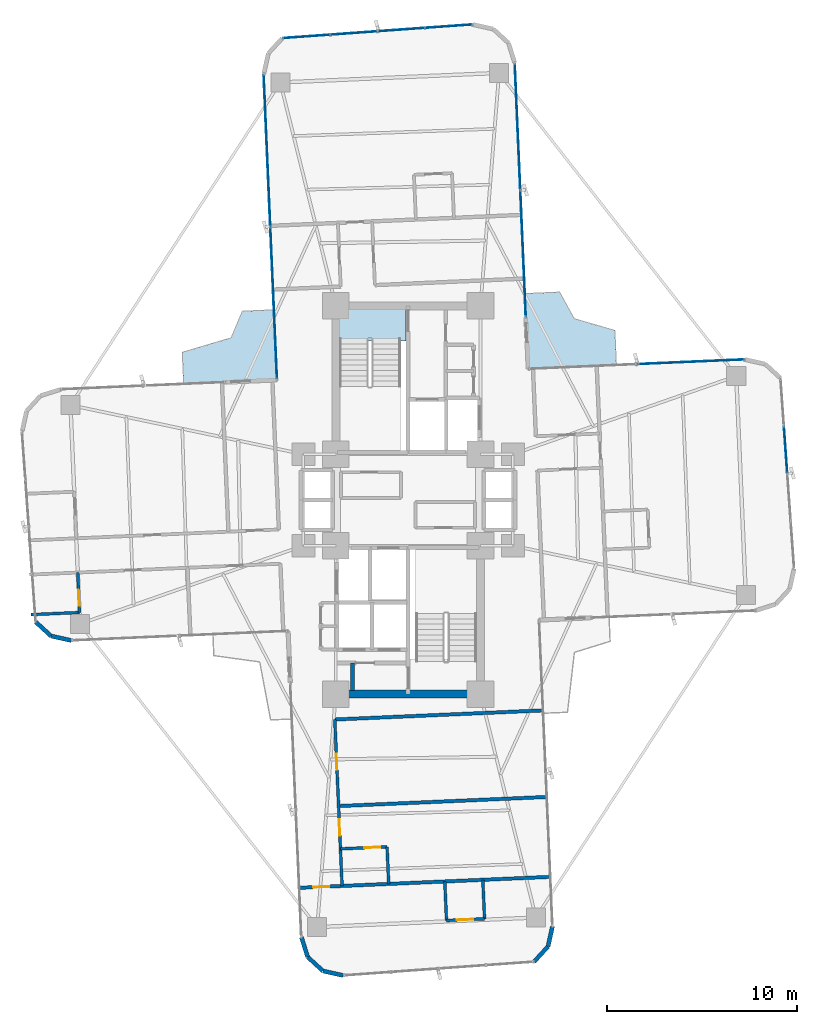
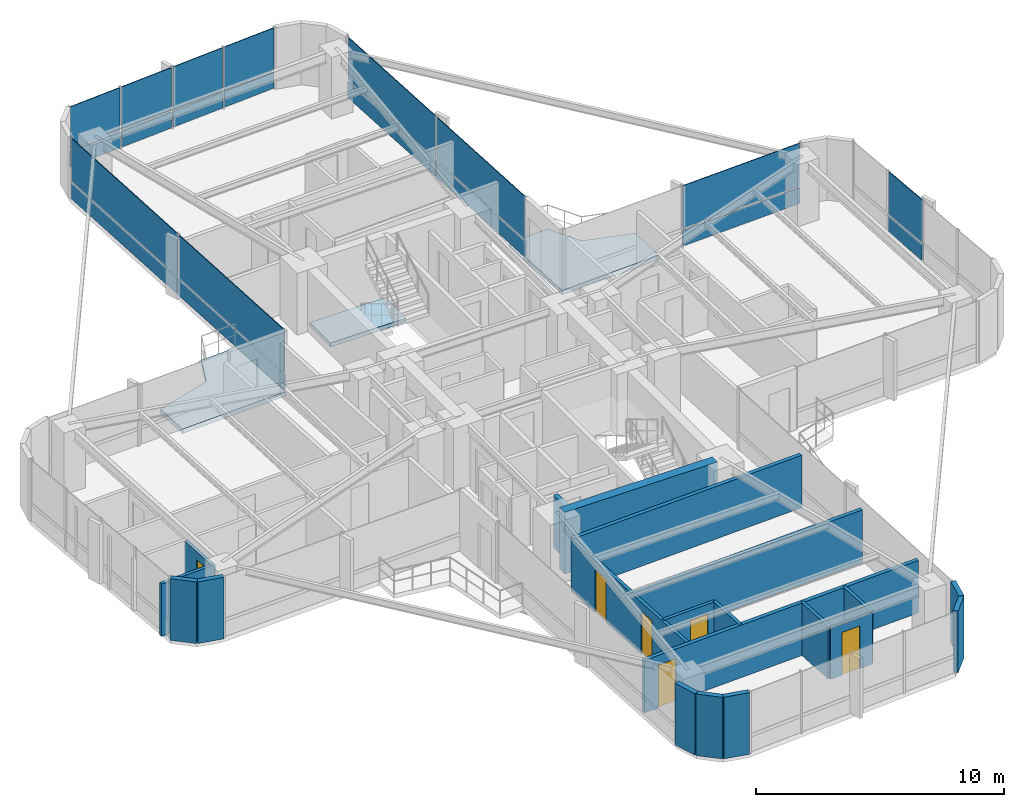
# One storey, part 22 of 26: 20 plates, 20 walls, 6 doors, 3 slabs, 6 openings, 5 elements without a shape of their own.
"""IFC4 building model written with IfcOpenShell, lengths in metres."""

from ifc_helpers import new_model, si_unit, direction, frame, frame_2d, origin, origin_2d, place, context, subcontext, project, spatial, polyline, rectangle, outline, extrude, source, transform, mapped, material, layer, layer_set, type_object, element, fill, aggregate, save


model = new_model("IFC4")

# Units and contexts
model_context = context("Model", 3, precision=1e-05, world=origin(), true_north=direction((0.0, 1.0)))
body_context = subcontext(model_context, "Body", "Model", "MODEL_VIEW")
ifc_project = project(units=[si_unit("LENGTHUNIT", "METRE"), si_unit("AREAUNIT", "SQUARE_METRE"), si_unit("VOLUMEUNIT", "CUBIC_METRE"), si_unit("PLANEANGLEUNIT", "RADIAN"), si_unit("MASSUNIT", "GRAM", prefix="KILO")], contexts=[model_context])

# Site, building, storey
site_placement = place(None, origin())
site = spatial("IfcSite", under=ifc_project, at=site_placement, CompositionType="ELEMENT")
building_placement = place(site_placement, origin())
building = spatial("IfcBuilding", under=site, at=building_placement, Name="Sahyath Konkavel Grand Hotel", CompositionType="ELEMENT")
storey_placement = place(building_placement, frame((0.0, 0.0, 134.89990234375)))
storey = spatial("IfcBuildingStorey", under=building, at=storey_placement, Name="L37", CompositionType="ELEMENT", Elevation=134.89990234375)

# Slabs
ifc_material_1 = material(Name="Concrete C40/50", Category="concrete")
ifc_layer_1 = layer(ifc_material_1, 0.219970703125)
ifc_layer_set_1 = layer_set([ifc_layer_1], Name="Concrete C40/50")
slab_type_1 = type_object("IfcSlabType", Name="SLB-BALCONY-220", PredefinedType="FLOOR", material=ifc_layer_set_1)
slab_1_placement = place(storey_placement, frame((0.0, 0.0, -0.219970703125)))
element("IfcSlab", 1, at=slab_1_placement, inside=storey, type_object=slab_type_1, Name="L37 Winter-Garden Balcony NE", PredefinedType="FLOOR", context=body_context, shape_type="SweptSolid", body=[
    extrude(outline(polyline([(6.305908203125, 6.881591796875), (10.9384765625, 7.083984375), (10.85888671875, 8.9052734375), (8.72509765625, 9.521484375), (7.954345703125, 10.92041015625), (6.133056640625, 10.8408203125), (6.305908203125, 6.881591796875)])), origin(), (0.0, 0.0, 1.0), 0.219970703125),
])
slab_2_placement = place(storey_placement, frame((0.0, 0.0, -0.219970703125)))
element("IfcSlab", 2, at=slab_2_placement, inside=storey, type_object=slab_type_1, Name="L37 Winter-Garden Balcony NW", PredefinedType="FLOOR", context=body_context, shape_type="SweptSolid", body=[
    extrude(outline(polyline([(-6.881591796875, 6.305908203125), (-7.04248046875, 9.9892578125), (-8.70751953125, 9.91650390625), (-9.29541015625, 8.517578125), (-11.862548828125, 7.756591796875), (-11.789794921875, 6.091552734375), (-6.881591796875, 6.305908203125)])), origin(), (0.0, 0.0, 1.0), 0.219970703125),
])
ifc_layer_2 = layer(ifc_material_1, 0.199951171875)
ifc_layer_set_2 = layer_set([ifc_layer_2], Name="Concrete C40/50")
slab_type_2 = type_object("IfcSlabType", Name="SLB-STAIR-LND", PredefinedType="LANDING", material=ifc_layer_set_2)
slab_3_placement = place(storey_placement, frame((0.0, 0.0, -0.199951171875)))
element("IfcSlab", 3, at=slab_3_placement, inside=storey, type_object=slab_type_2, Name="L37 Stair ST-1 Floor Landing Slab", PredefinedType="LANDING", context=body_context, shape_type="SweptSolid", body=[
    extrude(outline(polyline([(-3.6201171875, 8.35009765625), (-0.10009765625, 8.35009765625), (-0.10009765625, 10.02001953125), (-3.6201171875, 10.02001953125), (-3.6201171875, 8.35009765625)])), origin(), (0.0, 0.0, 1.0), 0.199951171875),
])

# Curtain wall, plate
ifc_material_2 = material(Name="Anodised Bronze Aluminium & Low-E Glazing", Category="aluminium")
curtain_wall_type = type_object("IfcCurtainWallType", Name="CW-ZONE2", PredefinedType="NOTDEFINED", material=ifc_material_2)
curtain_wall_1_placement = place(storey_placement, origin())
curtain_wall_1 = element("IfcCurtainWall", 4, at=curtain_wall_1_placement, inside=storey, type_object=curtain_wall_type, Name="L37 Unitised Curtain Wall F4", PredefinedType="NOTDEFINED")
ifc_material_3 = material(Name="Warm Buff Sandstone Cladding", Category="masonry")
ifc_layer_3 = layer(ifc_material_3, 0.074951171875)
ifc_layer_set_3 = layer_set([ifc_layer_3], Name="Warm Buff Sandstone Cladding")
plate_type_1 = type_object("IfcPlateType", Name="PNL-SPANDREL-STONE", PredefinedType="SHEET", material=ifc_layer_set_3)
shared_shape_1 = source(origin(), body_context, "Body", "SweptSolid", [
    extrude(rectangle(XDim=2.41357421875, YDim=0.074951171875, at=origin_2d()), origin(), (0.0, 0.0, 1.0), 0.77001953125),
])
plate_1_placement = place(storey_placement, frame((19.828369140625, 2.638671875, 0.0400390625), z_axis=(0.0, 0.0, 1.0), x_axis=(-0.071567078661, 0.997435789037, 0.0)))
plate_1 = element("IfcPlate", 5, at=plate_1_placement, type_object=plate_type_1, Name="L37 Sandstone Relief Spandrel Panel F4-2", PredefinedType="SHEET", context=body_context, shape_type="MappedRepresentation", body=[
    mapped(shared_shape_1, transform((0.0, 0.0, 0.0), scale=1.0)),
])

# Curtain wall, plates
curtain_wall_2_placement = place(storey_placement, origin())
curtain_wall_2 = element("IfcCurtainWall", 6, at=curtain_wall_2_placement, inside=storey, type_object=curtain_wall_type, Name="L37 Unitised Curtain Wall F12", PredefinedType="NOTDEFINED")
plate_2_placement = place(storey_placement, frame((2.130615234375, 24.880615234375, 0.0400390625), z_axis=(0.0, 0.0, 1.0), x_axis=(-0.997435789037, -0.071567078661, 0.0)))
plate_2 = element("IfcPlate", 7, at=plate_2_placement, type_object=plate_type_1, Name="L37 Sandstone Relief Spandrel Panel F12-0", PredefinedType="SHEET", context=body_context, shape_type="MappedRepresentation", body=[
    mapped(shared_shape_1, transform((0.0, 0.0, 0.0), scale=1.0)),
])
plate_3_placement = place(storey_placement, frame((-0.356689453125, 24.7021484375, 0.0400390625), z_axis=(0.0, 0.0, 1.0), x_axis=(-0.997435789037, -0.071567078661, 0.0)))
plate_3 = element("IfcPlate", 8, at=plate_3_placement, type_object=plate_type_1, Name="L37 Sandstone Relief Spandrel Panel F12-1", PredefinedType="SHEET", context=body_context, shape_type="MappedRepresentation", body=[
    mapped(shared_shape_1, transform((0.0, 0.0, 0.0), scale=1.0)),
])
plate_4_placement = place(storey_placement, frame((-2.84375, 24.523681640625, 0.0400390625), z_axis=(0.0, 0.0, 1.0), x_axis=(-0.997435789037, -0.071567078661, 0.0)))
plate_4 = element("IfcPlate", 9, at=plate_4_placement, type_object=plate_type_1, Name="L37 Sandstone Relief Spandrel Panel F12-2", PredefinedType="SHEET", context=body_context, shape_type="MappedRepresentation", body=[
    mapped(shared_shape_1, transform((0.0, 0.0, 0.0), scale=1.0)),
])
plate_5_placement = place(storey_placement, frame((-5.330810546875, 24.34521484375, 0.0400390625), z_axis=(0.0, 0.0, 1.0), x_axis=(-0.997435789037, -0.071567078661, 0.0)))
plate_5 = element("IfcPlate", 10, at=plate_5_placement, type_object=plate_type_1, Name="L37 Sandstone Relief Spandrel Panel F12-3", PredefinedType="SHEET", context=body_context, shape_type="MappedRepresentation", body=[
    mapped(shared_shape_1, transform((0.0, 0.0, 0.0), scale=1.0)),
])

# Curtain wall, plate
curtain_wall_3_placement = place(storey_placement, origin())
curtain_wall_3 = element("IfcCurtainWall", 11, at=curtain_wall_3_placement, inside=storey, type_object=curtain_wall_type, Name="L37 Unitised Curtain Wall F7", PredefinedType="NOTDEFINED")
shared_shape_2 = source(origin(), body_context, "Body", "SweptSolid", [
    extrude(rectangle(XDim=5.580078125, YDim=0.074951171875, at=origin_2d()), origin(), (0.0, 0.0, 1.0), 0.77001953125),
])
plate_6_placement = place(storey_placement, frame((14.82763671875, 7.25390625, 0.0400390625), z_axis=(0.0, 0.0, 1.0), x_axis=(-0.999048221582, -0.043619387365, 0.0)))
plate_6 = element("IfcPlate", 12, at=plate_6_placement, type_object=plate_type_1, Name="L37 Sandstone Relief Spandrel Panel F7-0", PredefinedType="SHEET", context=body_context, shape_type="MappedRepresentation", body=[
    mapped(shared_shape_2, transform((0.0, 0.0, 0.0), scale=1.0)),
])

# Curtain wall, plates
curtain_wall_4_placement = place(storey_placement, origin())
curtain_wall_4 = element("IfcCurtainWall", 13, at=curtain_wall_4_placement, inside=storey, type_object=curtain_wall_type, Name="L37 Unitised Curtain Wall F8", PredefinedType="NOTDEFINED")
shared_shape_3 = source(origin(), body_context, "Body", "SweptSolid", [
    extrude(rectangle(XDim=6.580078125, YDim=0.074951171875, at=origin_2d()), origin(), (0.0, 0.0, 1.0), 0.77001953125),
])
plate_7_placement = place(storey_placement, frame((6.041015625, 12.94580078125, 0.0400390625), z_axis=(0.0, 0.0, 1.0), x_axis=(-0.043619387365, 0.999048221582, 0.0)))
plate_7 = element("IfcPlate", 14, at=plate_7_placement, type_object=plate_type_1, Name="L37 Sandstone Relief Spandrel Panel F8-0", PredefinedType="SHEET", context=body_context, shape_type="MappedRepresentation", body=[
    mapped(shared_shape_3, transform((0.0, 0.0, 0.0), scale=1.0)),
])
plate_8_placement = place(storey_placement, frame((5.75048828125, 19.599609375, 0.0400390625), z_axis=(0.0, 0.0, 1.0), x_axis=(-0.043619387365, 0.999048221582, 0.0)))
plate_8 = element("IfcPlate", 15, at=plate_8_placement, type_object=plate_type_1, Name="L37 Sandstone Relief Spandrel Panel F8-1", PredefinedType="SHEET", context=body_context, shape_type="MappedRepresentation", body=[
    mapped(shared_shape_3, transform((0.0, 0.0, 0.0), scale=1.0)),
])

curtain_wall_5_placement = place(storey_placement, origin())
curtain_wall_5 = element("IfcCurtainWall", 16, at=curtain_wall_5_placement, inside=storey, type_object=curtain_wall_type, Name="L37 Unitised Curtain Wall F15", PredefinedType="NOTDEFINED")
shared_shape_4 = source(origin(), body_context, "Body", "SweptSolid", [
    extrude(rectangle(XDim=7.929931640625, YDim=0.074951171875, at=origin_2d()), origin(), (0.0, 0.0, 1.0), 0.77001953125),
])
plate_9_placement = place(storey_placement, frame((-7.407470703125, 18.349365234375, 0.0400390625), z_axis=(0.0, 0.0, 1.0), x_axis=(0.043619387365, -0.999048221582, 0.0)))
plate_9 = element("IfcPlate", 17, at=plate_9_placement, type_object=plate_type_1, Name="L37 Sandstone Relief Spandrel Panel F15-0", PredefinedType="SHEET", context=body_context, shape_type="MappedRepresentation", body=[
    mapped(shared_shape_4, transform((0.0, 0.0, 0.0), scale=1.0)),
])
plate_10_placement = place(storey_placement, frame((-7.05810546875, 10.346923828125, 0.0400390625), z_axis=(0.0, 0.0, 1.0), x_axis=(0.043619387365, -0.999048221582, 0.0)))
plate_10 = element("IfcPlate", 18, at=plate_10_placement, type_object=plate_type_1, Name="L37 Sandstone Relief Spandrel Panel F15-1", PredefinedType="SHEET", context=body_context, shape_type="MappedRepresentation", body=[
    mapped(shared_shape_4, transform((0.0, 0.0, 0.0), scale=1.0)),
])

# Plate
ifc_material_4 = material(Name="Low-E Solar Control Double Glazing", Category="glass")
ifc_layer_4 = layer(ifc_material_4, 0.035888671875)
ifc_layer_set_4 = layer_set([ifc_layer_4], Name="Low-E Solar Control Double Glazing")
plate_type_2 = type_object("IfcPlateType", Name="PNL-VISION-LOWE", PredefinedType="CURTAIN_PANEL", material=ifc_layer_set_4)
shared_shape_5 = source(origin(), body_context, "Body", "SweptSolid", [
    extrude(rectangle(XDim=2.41357421875, YDim=0.035888671875, at=origin_2d()), origin(), (0.0, 0.0, 1.0), 2.10009765625),
])
plate_11_placement = place(storey_placement, frame((19.828369140625, 2.638671875, 0.89013671875), z_axis=(0.0, 0.0, 1.0), x_axis=(-0.071567078661, 0.997435789037, 0.0)))
plate_11 = element("IfcPlate", 19, at=plate_11_placement, type_object=plate_type_2, Name="L37 Low-E Vision Glazing Panel F4-2", PredefinedType="CURTAIN_PANEL", context=body_context, shape_type="MappedRepresentation", body=[
    mapped(shared_shape_5, transform((0.0, 0.0, 0.0), scale=1.0)),
])

aggregate(curtain_wall_1, [plate_1, plate_11])

plate_12_placement = place(storey_placement, frame((2.130615234375, 24.880615234375, 0.89013671875), z_axis=(0.0, 0.0, 1.0), x_axis=(-0.997435789037, -0.071567078661, 0.0)))
plate_12 = element("IfcPlate", 20, at=plate_12_placement, type_object=plate_type_2, Name="L37 Low-E Vision Glazing Panel F12-0", PredefinedType="CURTAIN_PANEL", context=body_context, shape_type="MappedRepresentation", body=[
    mapped(shared_shape_5, transform((0.0, 0.0, 0.0), scale=1.0)),
])

plate_13_placement = place(storey_placement, frame((-0.356689453125, 24.7021484375, 0.89013671875), z_axis=(0.0, 0.0, 1.0), x_axis=(-0.997435789037, -0.071567078661, 0.0)))
plate_13 = element("IfcPlate", 21, at=plate_13_placement, type_object=plate_type_2, Name="L37 Low-E Vision Glazing Panel F12-1", PredefinedType="CURTAIN_PANEL", context=body_context, shape_type="MappedRepresentation", body=[
    mapped(shared_shape_5, transform((0.0, 0.0, 0.0), scale=1.0)),
])

plate_14_placement = place(storey_placement, frame((-2.84375, 24.523681640625, 0.89013671875), z_axis=(0.0, 0.0, 1.0), x_axis=(-0.997435789037, -0.071567078661, 0.0)))
plate_14 = element("IfcPlate", 22, at=plate_14_placement, type_object=plate_type_2, Name="L37 Low-E Vision Glazing Panel F12-2", PredefinedType="CURTAIN_PANEL", context=body_context, shape_type="MappedRepresentation", body=[
    mapped(shared_shape_5, transform((0.0, 0.0, 0.0), scale=1.0)),
])

plate_15_placement = place(storey_placement, frame((-5.330810546875, 24.34521484375, 0.89013671875), z_axis=(0.0, 0.0, 1.0), x_axis=(-0.997435789037, -0.071567078661, 0.0)))
plate_15 = element("IfcPlate", 23, at=plate_15_placement, type_object=plate_type_2, Name="L37 Low-E Vision Glazing Panel F12-3", PredefinedType="CURTAIN_PANEL", context=body_context, shape_type="MappedRepresentation", body=[
    mapped(shared_shape_5, transform((0.0, 0.0, 0.0), scale=1.0)),
])

aggregate(curtain_wall_2, [plate_2, plate_12, plate_3, plate_13, plate_4, plate_14, plate_5, plate_15])

shared_shape_6 = source(origin(), body_context, "Body", "SweptSolid", [
    extrude(rectangle(XDim=5.580078125, YDim=0.035888671875, at=origin_2d()), origin(), (0.0, 0.0, 1.0), 2.10009765625),
])
plate_16_placement = place(storey_placement, frame((14.82763671875, 7.25390625, 0.89013671875), z_axis=(0.0, 0.0, 1.0), x_axis=(-0.999048221582, -0.043619387365, 0.0)))
plate_16 = element("IfcPlate", 24, at=plate_16_placement, type_object=plate_type_2, Name="L37 Low-E Vision Glazing Panel F7-0", PredefinedType="CURTAIN_PANEL", context=body_context, shape_type="MappedRepresentation", body=[
    mapped(shared_shape_6, transform((0.0, 0.0, 0.0), scale=1.0)),
])

aggregate(curtain_wall_3, [plate_6, plate_16])

shared_shape_7 = source(origin(), body_context, "Body", "SweptSolid", [
    extrude(rectangle(XDim=6.580078125, YDim=0.035888671875, at=origin_2d()), origin(), (0.0, 0.0, 1.0), 2.10009765625),
])
plate_17_placement = place(storey_placement, frame((6.041015625, 12.94580078125, 0.89013671875), z_axis=(0.0, 0.0, 1.0), x_axis=(-0.043619387365, 0.999048221582, 0.0)))
plate_17 = element("IfcPlate", 25, at=plate_17_placement, type_object=plate_type_2, Name="L37 Low-E Vision Glazing Panel F8-0", PredefinedType="CURTAIN_PANEL", context=body_context, shape_type="MappedRepresentation", body=[
    mapped(shared_shape_7, transform((0.0, 0.0, 0.0), scale=1.0)),
])

plate_18_placement = place(storey_placement, frame((5.75048828125, 19.599609375, 0.89013671875), z_axis=(0.0, 0.0, 1.0), x_axis=(-0.043619387365, 0.999048221582, 0.0)))
plate_18 = element("IfcPlate", 26, at=plate_18_placement, type_object=plate_type_2, Name="L37 Low-E Vision Glazing Panel F8-1", PredefinedType="CURTAIN_PANEL", context=body_context, shape_type="MappedRepresentation", body=[
    mapped(shared_shape_7, transform((0.0, 0.0, 0.0), scale=1.0)),
])

aggregate(curtain_wall_4, [plate_7, plate_17, plate_8, plate_18])

shared_shape_8 = source(origin(), body_context, "Body", "SweptSolid", [
    extrude(rectangle(XDim=7.929931640625, YDim=0.035888671875, at=origin_2d()), origin(), (0.0, 0.0, 1.0), 2.10009765625),
])
plate_19_placement = place(storey_placement, frame((-7.407470703125, 18.349365234375, 0.89013671875), z_axis=(0.0, 0.0, 1.0), x_axis=(0.043619387365, -0.999048221582, 0.0)))
plate_19 = element("IfcPlate", 27, at=plate_19_placement, type_object=plate_type_2, Name="L37 Low-E Vision Glazing Panel F15-0", PredefinedType="CURTAIN_PANEL", context=body_context, shape_type="MappedRepresentation", body=[
    mapped(shared_shape_8, transform((0.0, 0.0, 0.0), scale=1.0)),
])

plate_20_placement = place(storey_placement, frame((-7.05810546875, 10.346923828125, 0.89013671875), z_axis=(0.0, 0.0, 1.0), x_axis=(0.043619387365, -0.999048221582, 0.0)))
plate_20 = element("IfcPlate", 28, at=plate_20_placement, type_object=plate_type_2, Name="L37 Low-E Vision Glazing Panel F15-1", PredefinedType="CURTAIN_PANEL", context=body_context, shape_type="MappedRepresentation", body=[
    mapped(shared_shape_8, transform((0.0, 0.0, 0.0), scale=1.0)),
])

aggregate(curtain_wall_5, [plate_9, plate_19, plate_10, plate_20])

# Walls
ifc_material_5 = material(Name="Concrete C50/60", Category="concrete")
ifc_layer_5 = layer(ifc_material_5, 0.419921875)
ifc_layer_set_5 = layer_set([ifc_layer_5], Name="Concrete C50/60")
wall_type_1 = type_object("IfcWallType", Name="CWALL-420", PredefinedType="SHEAR", material=ifc_layer_set_5)
wall_1_placement = place(storey_placement, frame((-3.550048828125, -10.199951171875, 0.0), z_axis=(0.0, 0.0, 1.0), x_axis=(1.0, 0.0, 0.0)))
element("IfcWall", 29, at=wall_1_placement, inside=storey, type_object=wall_type_1, Name="L37 South Core Shear Wall S", PredefinedType="SHEAR", context=body_context, shape_type="SweptSolid", body=[
    extrude(rectangle(XDim=7.10009765625, YDim=0.419921875, at=frame_2d((3.550048828125, 0.0))), origin(), (0.0, 0.0, 1.0), 3.030029296875),
])
ifc_material_6 = material(Name="Warm Buff Sandstone Insulated Concrete C40/50", Category="masonry")
ifc_layer_6 = layer(ifc_material_6, 0.219970703125)
ifc_layer_set_6 = layer_set([ifc_layer_6], Name="Warm Buff Sandstone Insulated Concrete C40/50")
wall_type_2 = type_object("IfcWallType", Name="WLL-BALC-THRESH", PredefinedType="STANDARD", material=ifc_layer_set_6)
wall_2_placement = place(storey_placement, frame((-19.5576171875, -6.4091796875, 0.0), z_axis=(0.0, 0.0, 1.0), x_axis=(0.737210081318, -0.675663596772, 0.0)))
element("IfcWall", 30, at=wall_2_placement, inside=storey, type_object=wall_type_2, Name="L37 Rounded Corner Sandstone Pier 21", PredefinedType="STANDARD", context=body_context, shape_type="SweptSolid", body=[
    extrude(rectangle(XDim=1.0869140625, YDim=0.219970703125, at=frame_2d((0.54345703125, 0.0))), origin(), (0.0, 0.0, 1.0), 3.030029296875),
])
wall_3_placement = place(storey_placement, frame((-18.75634765625, -7.1435546875, 0.0), z_axis=(0.0, 0.0, 1.0), x_axis=(0.976282085775, -0.216502399514, 0.0)))
element("IfcWall", 31, at=wall_3_placement, inside=storey, type_object=wall_type_2, Name="L37 Rounded Corner Sandstone Pier 22", PredefinedType="STANDARD", context=body_context, shape_type="SweptSolid", body=[
    extrude(rectangle(XDim=1.087158203125, YDim=0.219970703125, at=frame_2d((0.54345703125, 0.0))), origin(), (0.0, 0.0, 1.0), 3.030029296875),
])
wall_4_placement = place(storey_placement, frame((-5.603515625, -22.96630859375, 0.0), z_axis=(0.0, 0.0, 1.0), x_axis=(0.300755105707, -0.953701403161, 0.0)))
element("IfcWall", 32, at=wall_4_placement, inside=storey, type_object=wall_type_2, Name="L37 Rounded Corner Sandstone Pier 25", PredefinedType="STANDARD", context=body_context, shape_type="SweptSolid", body=[
    extrude(rectangle(XDim=1.0869140625, YDim=0.219970703125, at=frame_2d((0.54345703125, 0.0))), origin(), (0.0, 0.0, 1.0), 3.030029296875),
])
wall_5_placement = place(storey_placement, frame((-5.276611328125, -24.0029296875, 0.0), z_axis=(0.0, 0.0, 1.0), x_axis=(0.737312600672, -0.675551721847, 0.0)))
element("IfcWall", 33, at=wall_5_placement, inside=storey, type_object=wall_type_2, Name="L37 Rounded Corner Sandstone Pier 26", PredefinedType="STANDARD", context=body_context, shape_type="SweptSolid", body=[
    extrude(rectangle(XDim=1.087158203125, YDim=0.219970703125, at=frame_2d((0.54345703125, 0.0))), origin(), (0.0, 0.0, 1.0), 3.030029296875),
])
for number, where, z_axis, x_axis, name in (
    (34, (-4.47509765625, -24.7373046875, 0.0), (0.0, 0.0, 1.0), (0.976271555154, -0.216549880158, 0.0), "L37 Rounded Corner Sandstone Pier 27"),
    (35, (6.6142578125, -24.253173828125, 0.0), (0.0, 0.0, 1.0), (0.675663596772, 0.737210081318, 0.0), "L37 Rounded Corner Sandstone Pier 29"),
):
    element("IfcWall", number, at=place(storey_placement, frame(where, z_axis=z_axis, x_axis=x_axis)), inside=storey, type_object=wall_type_2, Name=name, PredefinedType="STANDARD", context=body_context, shape_type="SweptSolid", body=[
        extrude(rectangle(XDim=1.0869140625, YDim=0.219970703125, at=frame_2d((0.54345703125, 0.0))), origin(), (0.0, 0.0, 1.0), 3.030029296875),
    ])
wall_6_placement = place(storey_placement, frame((7.3486328125, -23.451904296875, 0.0), z_axis=(0.0, 0.0, 1.0), x_axis=(0.216454939174, 0.976292609471, 0.0)))
element("IfcWall", 36, at=wall_6_placement, inside=storey, type_object=wall_type_2, Name="L37 Rounded Corner Sandstone Pier 30", PredefinedType="STANDARD", context=body_context, shape_type="SweptSolid", body=[
    extrude(rectangle(XDim=1.08740234375, YDim=0.219970703125, at=frame_2d((0.543701171875, 0.0))), origin(), (0.0, 0.0, 1.0), 3.030029296875),
])
ifc_layer_7 = layer(ifc_material_1, 0.199951171875)
ifc_layer_set_7 = layer_set([ifc_layer_7], Name="Concrete C40/50")
wall_type_3 = type_object("IfcWallType", Name="WLL-CORE-200", PredefinedType="SOLIDWALL", material=ifc_layer_set_7)
wall_7_placement = place(storey_placement, frame((-2.919921875, -10.0, 0.0), z_axis=(0.0, 0.0, 1.0), x_axis=(0.0, 1.0, 0.0)))
element("IfcWall", 37, at=wall_7_placement, inside=storey, type_object=wall_type_3, Name="L37 Partition SFF-W2", PredefinedType="SOLIDWALL", context=body_context, shape_type="SweptSolid", body=[
    extrude(rectangle(XDim=1.43994140625, YDim=0.199951171875, at=frame_2d((0.719970703125, 0.0))), origin(), (0.0, 0.0, 1.0), 2.580078125),
])
ifc_material_7 = material(Name="Twin-Stud Acoustic Gypsum Plasterboard Partition")
ifc_layer_8 = layer(ifc_material_7, 0.179931640625)
ifc_layer_set_8 = layer_set([ifc_layer_8], Name="Twin-Stud Acoustic Gypsum Plasterboard Partition")
wall_type_4 = type_object("IfcWallType", Name="WLL-DEMISE-180", PredefinedType="PARTITIONING", material=ifc_layer_set_8)
wall_8_placement = place(storey_placement, frame((-3.850830078125, -11.52880859375, 0.0), z_axis=(0.0, 0.0, 1.0), x_axis=(0.999048663393, 0.043609267053, 0.0)))
element("IfcWall", 38, at=wall_8_placement, inside=storey, type_object=wall_type_4, Name="L37 Partition S-G6I", PredefinedType="PARTITIONING", context=body_context, shape_type="SweptSolid", body=[
    extrude(rectangle(XDim=10.89990234375, YDim=0.179931640625, at=frame_2d((5.449951171875, 0.0))), origin(), (0.0, 0.0, 1.0), 2.580078125),
])
wall_9_placement = place(storey_placement, frame((-3.65234375, -16.07470703125, 0.0), z_axis=(0.0, 0.0, 1.0), x_axis=(0.999047687305, 0.043631622609, 0.0)))
element("IfcWall", 39, at=wall_9_placement, inside=storey, type_object=wall_type_4, Name="L37 Partition S-SSL6-DEM", PredefinedType="PARTITIONING", context=body_context, shape_type="SweptSolid", body=[
    extrude(rectangle(XDim=10.900146484375, YDim=0.179931640625, at=frame_2d((5.4501953125, 0.0))), origin(), (0.0, 0.0, 1.0), 2.580078125),
])

# Wall, opening, door
wall_10_placement = place(storey_placement, frame((-5.6669921875, -20.36669921875, 0.0), z_axis=(0.0, 0.0, 1.0), x_axis=(0.999047806124, 0.043628901879, 0.0)))
wall_10 = element("IfcWall", 40, at=wall_10_placement, inside=storey, type_object=wall_type_4, Name="L37 Partition S-STIP-END", PredefinedType="PARTITIONING", context=body_context, shape_type="SweptSolid", body=[
    extrude(rectangle(XDim=13.099853515625, YDim=0.179931640625, at=frame_2d((6.5498046875, 0.0))), origin(), (0.0, 0.0, 1.0), 2.580078125),
])
opening_1_placement = place(wall_10_placement, frame((0.675048828125, 0.0, 0.0)))
opening_1 = element("IfcOpeningElement", 41, at=opening_1_placement, cuts=wall_10, Name="Opening D-F06D", PredefinedType="OPENING", context=body_context, shape_type="SweptSolid", body=[
    extrude(rectangle(XDim=0.85009765625, YDim=2.10009765625, at=frame_2d((0.425048828125, 1.050048828125))), frame((0.0, 0.10009765625, 0.0), z_axis=(0.0, -1.0, 0.0), x_axis=(1.0, 0.0, 0.0)), (0.0, 0.0, 1.0), 0.199951171875),
])
ifc_material_8 = material(Name="Fire-Rated Shaft Access Door")
door_type_1 = type_object("IfcDoorType", Name="DR-FD60-850", OperationType="NOTDEFINED", PredefinedType="DOOR", material=ifc_material_8)
shared_shape_9 = source(origin(), body_context, "Body", "SweptSolid", [
    extrude(rectangle(XDim=0.85009765625, YDim=0.050048828125, at=origin_2d()), origin(), (0.0, 0.0, 1.0), 2.10009765625),
])
door_1_placement = place(opening_1_placement, frame((0.425048828125, 0.0, 0.0)))
door_1 = element("IfcDoor", 42, at=door_1_placement, inside=storey, type_object=door_type_1, Name="L37 Door S-STIP-ED", OperationType="SINGLE_SWING_RIGHT", OverallHeight=2.10009765625, OverallWidth=0.85009765625, PredefinedType="DOOR", context=body_context, shape_type="MappedRepresentation", body=[
    mapped(shared_shape_9, transform((0.0, 0.0, 0.0), scale=1.0)),
])
fill(opening_1, door_1)

ifc_material_9 = material(Name="Fire-Rated Gypsum Plasterboard Partition")
ifc_layer_9 = layer(ifc_material_9, 0.14990234375)
ifc_layer_set_9 = layer_set([ifc_layer_9], Name="Fire-Rated Gypsum Plasterboard Partition")
wall_type_5 = type_object("IfcWallType", Name="WLL-PART-150", PredefinedType="PARTITIONING", material=ifc_layer_set_9)
wall_11_placement = place(storey_placement, frame((-17.350341796875, -3.810302734375, 0.0), z_axis=(0.0, 0.0, 1.0), x_axis=(0.043593612401, -0.999049346608, 0.0)))
wall_11 = element("IfcWall", 43, at=wall_11_placement, inside=storey, type_object=wall_type_5, Name="L37 Partition W-W2L-BS", PredefinedType="PARTITIONING", context=body_context, shape_type="SweptSolid", body=[
    extrude(rectangle(XDim=2.10009765625, YDim=0.14990234375, at=frame_2d((1.050048828125, 0.0))), origin(), (0.0, 0.0, 1.0), 2.5),
])
opening_2_placement = place(wall_11_placement, frame((0.89990234375, 0.0, 0.0)))
opening_2 = element("IfcOpeningElement", 44, at=opening_2_placement, cuts=wall_11, Name="Opening D-BT85", PredefinedType="OPENING", context=body_context, shape_type="SweptSolid", body=[
    extrude(rectangle(XDim=0.85009765625, YDim=2.10009765625, at=frame_2d((0.425048828125, 1.050048828125))), frame((0.0, 0.0849609375, 0.0), z_axis=(0.0, -1.0, 0.0), x_axis=(1.0, 0.0, 0.0)), (0.0, 0.0, 1.0), 0.169921875),
])
ifc_material_10 = material(Name="Moisture-Resistant Teak Bathroom Door")
door_type_2 = type_object("IfcDoorType", Name="DR-BATH-850", OperationType="NOTDEFINED", PredefinedType="DOOR", material=ifc_material_10)
door_2_placement = place(opening_2_placement, frame((0.425048828125, 0.0, 0.0)))
door_2 = element("IfcDoor", 45, at=door_2_placement, inside=storey, type_object=door_type_2, Name="L37 Door W-W2L-BD", OperationType="SINGLE_SWING_LEFT", OverallHeight=2.10009765625, OverallWidth=0.85009765625, PredefinedType="DOOR", context=body_context, shape_type="MappedRepresentation", body=[
    mapped(shared_shape_9, transform((0.0, 0.0, 0.0), scale=1.0)),
])
fill(opening_2, door_2)

# Wall
wall_12_placement = place(storey_placement, frame((-17.2587890625, -5.908447265625, 0.0), z_axis=(0.0, 0.0, 1.0), x_axis=(-0.999046560091, -0.043657425146, 0.0)))
element("IfcWall", 46, at=wall_12_placement, inside=storey, type_object=wall_type_5, Name="L37 Partition W-W2L-BF", PredefinedType="PARTITIONING", context=body_context, shape_type="SweptSolid", body=[
    extrude(rectangle(XDim=2.550048828125, YDim=0.14990234375, at=frame_2d((1.27490234375, 0.0))), origin(), (0.0, 0.0, 1.0), 2.580078125),
])

# Wall, openings, doors
wall_13_placement = place(storey_placement, frame((-3.850830078125, -11.52880859375, 0.0), z_axis=(0.0, 0.0, 1.0), x_axis=(0.043638220751, -0.999047399121, 0.0)))
wall_13 = element("IfcWall", 47, at=wall_13_placement, inside=storey, type_object=wall_type_5, Name="L37 Partition S-G6W", PredefinedType="PARTITIONING", context=body_context, shape_type="SweptSolid", body=[
    extrude(rectangle(XDim=8.75, YDim=0.14990234375, at=frame_2d((4.375, 0.0))), origin(), (0.0, 0.0, 1.0), 2.550048828125),
])
opening_3_placement = place(wall_13_placement, frame((1.800048828125, 0.0, 0.0)))
opening_3 = element("IfcOpeningElement", 48, at=opening_3_placement, cuts=wall_13, Name="Opening D-F06D", PredefinedType="OPENING", context=body_context, shape_type="SweptSolid", body=[
    extrude(rectangle(XDim=0.85009765625, YDim=2.10009765625, at=frame_2d((0.425048828125, 1.050048828125))), frame((0.0, 0.0849609375, 0.0), z_axis=(0.0, -1.0, 0.0), x_axis=(1.0, 0.0, 0.0)), (0.0, 0.0, 1.0), 0.169921875),
])
opening_4_placement = place(wall_13_placement, frame((5.25, 0.0, 0.0)))
opening_4 = element("IfcOpeningElement", 49, at=opening_4_placement, cuts=wall_13, Name="Opening D-F06D", PredefinedType="OPENING", context=body_context, shape_type="SweptSolid", body=[
    extrude(rectangle(XDim=0.85009765625, YDim=2.10009765625, at=frame_2d((0.425048828125, 1.050048828125))), frame((0.0, 0.0849609375, 0.0), z_axis=(0.0, -1.0, 0.0), x_axis=(1.0, 0.0, 0.0)), (0.0, 0.0, 1.0), 0.169921875),
])
door_3_placement = place(opening_3_placement, frame((0.425048828125, 0.0, 0.0)))
door_3 = element("IfcDoor", 50, at=door_3_placement, inside=storey, type_object=door_type_1, Name="L37 Door S-SSL6-D", OperationType="SINGLE_SWING_RIGHT", OverallHeight=2.10009765625, OverallWidth=0.85009765625, PredefinedType="DOOR", context=body_context, shape_type="MappedRepresentation", body=[
    mapped(shared_shape_9, transform((0.0, 0.0, 0.0), scale=1.0)),
])
fill(opening_3, door_3)
door_4_placement = place(opening_4_placement, frame((0.425048828125, 0.0, 0.0)))
door_4 = element("IfcDoor", 51, at=door_4_placement, inside=storey, type_object=door_type_1, Name="L37 Door S-SD6-ED", OperationType="SINGLE_SWING_RIGHT", OverallHeight=2.10009765625, OverallWidth=0.85009765625, PredefinedType="DOOR", context=body_context, shape_type="MappedRepresentation", body=[
    mapped(shared_shape_9, transform((0.0, 0.0, 0.0), scale=1.0)),
])
fill(opening_4, door_4)

# Wall, opening, door
wall_14_placement = place(storey_placement, frame((-3.55419921875, -18.322509765625, 0.0), z_axis=(0.0, 0.0, 1.0), x_axis=(0.999047112283, 0.043644787072, 0.0)))
wall_14 = element("IfcWall", 52, at=wall_14_placement, inside=storey, type_object=wall_type_5, Name="L37 Partition S-SD6-BS", PredefinedType="PARTITIONING", context=body_context, shape_type="SweptSolid", body=[
    extrude(rectangle(XDim=2.4501953125, YDim=0.14990234375, at=frame_2d((1.22509765625, 0.0))), origin(), (0.0, 0.0, 1.0), 2.580078125),
])
opening_5_placement = place(wall_14_placement, frame((1.25, 0.0, 0.0)))
opening_5 = element("IfcOpeningElement", 53, at=opening_5_placement, cuts=wall_14, Name="Opening D-BT85", PredefinedType="OPENING", context=body_context, shape_type="SweptSolid", body=[
    extrude(rectangle(XDim=0.85009765625, YDim=2.10009765625, at=frame_2d((0.425048828125, 1.050048828125))), frame((0.0, 0.0849609375, 0.0), z_axis=(0.0, -1.0, 0.0), x_axis=(1.0, 0.0, 0.0)), (0.0, 0.0, 1.0), 0.169921875),
])
door_5_placement = place(opening_5_placement, frame((0.425048828125, 0.0, 0.0)))
door_5 = element("IfcDoor", 54, at=door_5_placement, inside=storey, type_object=door_type_2, Name="L37 Door S-SD6-BD", OperationType="SINGLE_SWING_LEFT", OverallHeight=2.10009765625, OverallWidth=0.85009765625, PredefinedType="DOOR", context=body_context, shape_type="MappedRepresentation", body=[
    mapped(shared_shape_9, transform((0.0, 0.0, 0.0), scale=1.0)),
])
fill(opening_5, door_5)

# Walls
wall_15_placement = place(storey_placement, frame((-1.1064453125, -18.215576171875, 0.0), z_axis=(0.0, 0.0, 1.0), x_axis=(0.043567614947, -0.99905048067, 0.0)))
element("IfcWall", 55, at=wall_15_placement, inside=storey, type_object=wall_type_5, Name="L37 Partition S-SD6-BF", PredefinedType="PARTITIONING", context=body_context, shape_type="SweptSolid", body=[
    extrude(rectangle(XDim=1.9501953125, YDim=0.14990234375, at=frame_2d((0.97509765625, 0.0))), origin(), (0.0, 0.0, 1.0), 2.580078125),
])
wall_16_placement = place(storey_placement, frame((3.923828125, -19.94775390625, 0.0), z_axis=(0.0, 0.0, 1.0), x_axis=(0.043587097972, -0.999049630844, 0.0)))
element("IfcWall", 56, at=wall_16_placement, inside=storey, type_object=wall_type_5, Name="L37 Partition S-STIP-BN", PredefinedType="PARTITIONING", context=body_context, shape_type="SweptSolid", body=[
    extrude(rectangle(XDim=2.050048828125, YDim=0.14990234375, at=frame_2d((1.02490234375, 0.0))), origin(), (0.0, 0.0, 1.0), 2.580078125),
])
wall_17_placement = place(storey_placement, frame((1.92578125, -20.03515625, 0.0), z_axis=(0.0, 0.0, 1.0), x_axis=(0.043592284462, -0.999049404552, 0.0)))
element("IfcWall", 57, at=wall_17_placement, inside=storey, type_object=wall_type_5, Name="L37 Partition S-STIP-BS", PredefinedType="PARTITIONING", context=body_context, shape_type="SweptSolid", body=[
    extrude(rectangle(XDim=2.0498046875, YDim=0.14990234375, at=frame_2d((1.02490234375, 0.0))), origin(), (0.0, 0.0, 1.0), 2.580078125),
])

# Wall, opening, door
wall_18_placement = place(storey_placement, frame((2.01513671875, -22.0830078125, 0.0), z_axis=(0.0, 0.0, 1.0), x_axis=(0.999049929275, 0.043580257179, 0.0)))
wall_18 = element("IfcWall", 58, at=wall_18_placement, inside=storey, type_object=wall_type_5, Name="L37 Partition S-STIP-BE", PredefinedType="PARTITIONING", context=body_context, shape_type="SweptSolid", body=[
    extrude(rectangle(XDim=2.0, YDim=0.14990234375, at=frame_2d((1.0, 0.0))), origin(), (0.0, 0.0, 1.0), 2.5),
])
opening_6_placement = place(wall_18_placement, frame((0.550048828125, 0.0, 0.0)))
opening_6 = element("IfcOpeningElement", 59, at=opening_6_placement, cuts=wall_18, Name="Opening D-BT85", PredefinedType="OPENING", context=body_context, shape_type="SweptSolid", body=[
    extrude(rectangle(XDim=0.85009765625, YDim=2.10009765625, at=frame_2d((0.425048828125, 1.050048828125))), frame((0.0, 0.0849609375, 0.0), z_axis=(0.0, -1.0, 0.0), x_axis=(1.0, 0.0, 0.0)), (0.0, 0.0, 1.0), 0.169921875),
])
door_6_placement = place(opening_6_placement, frame((0.425048828125, 0.0, 0.0)))
door_6 = element("IfcDoor", 60, at=door_6_placement, inside=storey, type_object=door_type_2, Name="L37 Door S-STIP-BD", OperationType="SINGLE_SWING_LEFT", OverallHeight=2.10009765625, OverallWidth=0.85009765625, PredefinedType="DOOR", context=body_context, shape_type="MappedRepresentation", body=[
    mapped(shared_shape_9, transform((0.0, 0.0, 0.0), scale=1.0)),
])
fill(opening_6, door_6)

save(model, "model.ifc")
